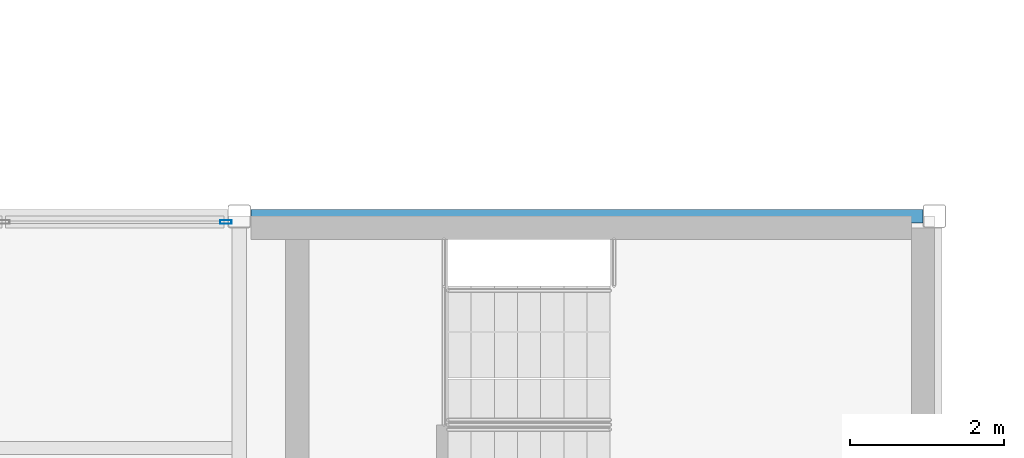
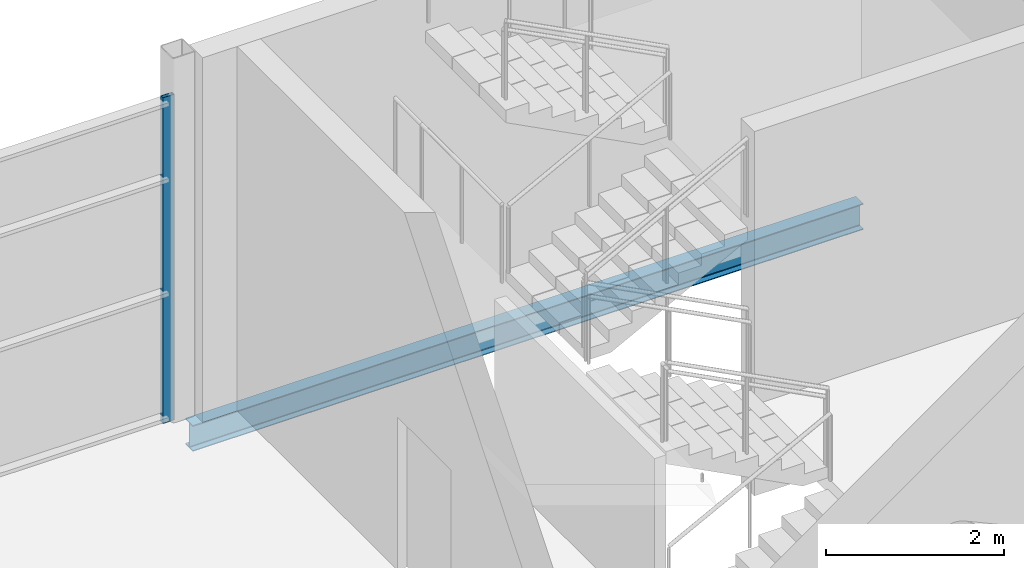
# One storey, part 66 of 112: 1 beam, 1 member, 1 element without a shape of its own.
"""IFC4 building model written with IfcOpenShell, lengths in metres."""

from ifc_helpers import new_model, si_unit, direction, frame, origin, origin_2d, place, context, subcontext, project, spatial, hollow_rectangle, i_section, extrude, material, layer, layer_set, material_profile, profile_set, type_object, element, aggregate, save


model = new_model("IFC4")

# Units and contexts
model_context = context("Model", 3, precision=1e-05, world=origin(), true_north=direction((0.0, 1.0)))
body_context = subcontext(model_context, "Body", "Model", "MODEL_VIEW")
ifc_project = project(units=[si_unit("LENGTHUNIT", "METRE"), si_unit("AREAUNIT", "SQUARE_METRE"), si_unit("VOLUMEUNIT", "CUBIC_METRE"), si_unit("PLANEANGLEUNIT", "RADIAN"), si_unit("MASSUNIT", "GRAM", prefix="KILO")], contexts=[model_context])

# Site, building, storey
site_placement = place(None, origin())
site = spatial("IfcSite", under=ifc_project, at=site_placement, CompositionType="ELEMENT")
building_placement = place(site_placement, origin())
building = spatial("IfcBuilding", under=site, at=building_placement, Name="Shorebreak Coast Museum", CompositionType="ELEMENT")
storey_placement = place(building_placement, frame((0.0, 0.0, 6.0)))
storey = spatial("IfcBuildingStorey", under=building, at=storey_placement, Name="L01", CompositionType="ELEMENT", Elevation=6.0)

# Beam
ifc_material_1 = material(Name="Steel Grade 300", Category="steel")
ifc_material_profile_1 = material_profile(ifc_material_1, i_section(OverallWidth=0.1708984375, OverallDepth=0.355712890625, WebThickness=0.00732421875, FlangeThickness=0.011474609375, FilletRadius=0.011474609375, at=origin_2d()), Name="360UB50.7")
ifc_profile_set_1 = profile_set([ifc_material_profile_1], Name="Steel Grade 300")
beam_type = type_object("IfcBeamType", Name="Floor girder east-west 360UB50.7", PredefinedType="BEAM", material=ifc_profile_set_1)
beam_placement = place(storey_placement, frame((162.14990234375, 90.0, -0.352783203125), z_axis=(1.0, 0.0, 0.0), x_axis=(0.0, 1.0, 0.0)))
element("IfcBeam", 1, at=beam_placement, inside=storey, type_object=beam_type, Name="Floor girder east-west L01 19L", PredefinedType="BEAM", context=body_context, shape_type="SweptSolid", body=[
    extrude(i_section(OverallWidth=0.1708984375, OverallDepth=0.355712890625, WebThickness=0.00732421875, FlangeThickness=0.011474609375, FilletRadius=0.011474609375, at=origin_2d()), origin(), (0.0, 0.0, 1.0), 8.7001953125),
])

# Curtain wall, member
ifc_material_2 = material(Name="Aluminium", Category="aluminium")
ifc_layer = layer(ifc_material_2, 0.14990234375)
ifc_layer_set = layer_set([ifc_layer], Name="Aluminium")
curtain_wall_type = type_object("IfcCurtainWallType", Name="Storefront curtain wall", PredefinedType="NOTDEFINED", material=ifc_layer_set)
curtain_wall_placement = place(storey_placement, origin())
curtain_wall = element("IfcCurtainWall", 2, at=curtain_wall_placement, inside=storey, type_object=curtain_wall_type, Name="Storefront L01 N 17", PredefinedType="NOTDEFINED")
ifc_material_3 = material(Name="Aluminium", Category="aluminium")
ifc_material_profile_2 = material_profile(ifc_material_3, hollow_rectangle(XDim=0.050048828125, YDim=0.14990234375, WallThickness=0.00390625, at=origin_2d()), Name="AL 150x50 RHS")
ifc_profile_set_2 = profile_set([ifc_material_profile_2], Name="Aluminium")
member_type = type_object("IfcMemberType", Name="Storefront mullion 50 x 150", PredefinedType="MULLION", material=ifc_profile_set_2)
member_placement = place(storey_placement, frame((161.824951171875, 89.925048828125, 0.0), z_axis=(0.0, 0.0, 1.0), x_axis=(0.0, 1.0, 0.0)))
member = element("IfcMember", 3, at=member_placement, type_object=member_type, Name="CW8 mullion 4", PredefinedType="MULLION", context=body_context, shape_type="SweptSolid", body=[
    extrude(hollow_rectangle(XDim=0.050048828125, YDim=0.14990234375, WallThickness=0.00390625, at=origin_2d()), origin(), (0.0, 0.0, 1.0), 4.469482421875),
])
aggregate(curtain_wall, [member])

save(model, "model.ifc")
